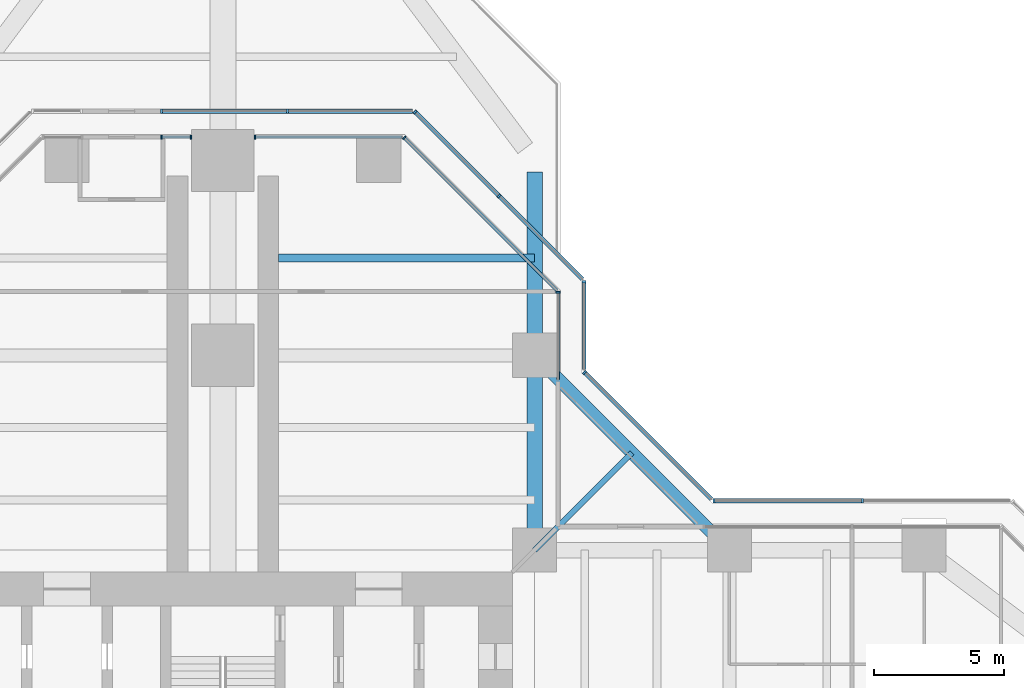
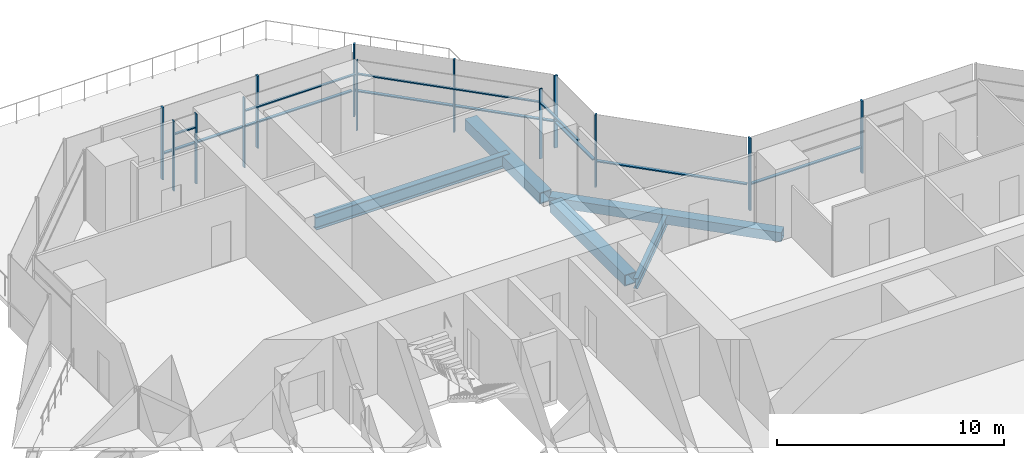
# One storey, part 11 of 21: 24 members, 5 beams, 9 elements without a shape of their own.
"""IFC4 building model written with IfcOpenShell, lengths in metres."""

from ifc_helpers import new_model, si_unit, direction, frame, origin, origin_2d, place, context, subcontext, project, spatial, rectangle, hollow_rectangle, i_section, extrude, material, material_profile, profile_set, type_object, element, aggregate, save


model = new_model("IFC4")

# Units and contexts
model_context = context("Model", 3, precision=1e-05, world=origin(), true_north=direction((0.0, 1.0)))
body_context = subcontext(model_context, "Body", "Model", "MODEL_VIEW")
ifc_project = project(units=[si_unit("LENGTHUNIT", "METRE"), si_unit("AREAUNIT", "SQUARE_METRE"), si_unit("VOLUMEUNIT", "CUBIC_METRE"), si_unit("PLANEANGLEUNIT", "RADIAN"), si_unit("MASSUNIT", "GRAM", prefix="KILO")], contexts=[model_context])

# Site, building, storey
site_placement = place(None, origin())
site = spatial("IfcSite", under=ifc_project, at=site_placement, CompositionType="ELEMENT")
building_placement = place(site_placement, origin())
building = spatial("IfcBuilding", under=site, at=building_placement, Name="Mizan Broadcast Tower", CompositionType="ELEMENT")
storey_placement = place(building_placement, frame((0.0, 0.0, 124.199951171875)))
storey = spatial("IfcBuildingStorey", under=building, at=storey_placement, Name="L27", CompositionType="ELEMENT", Elevation=124.199951171875)

# Beams
ifc_material_1 = material(Name="Steel S355", Category="steel")
ifc_material_profile_1 = material_profile(ifc_material_1, hollow_rectangle(XDim=0.5, YDim=0.5, WallThickness=0.030029296875, at=origin_2d()), Name="BOX 500x500x30")
ifc_profile_set_1 = profile_set([ifc_material_profile_1], Name="Steel S355")
beam_type_1 = type_object("IfcBeamType", Name="EDGE BEAM BOX 500x500x30", PredefinedType="SPANDREL", material=ifc_profile_set_1)
beam_1_placement = place(storey_placement, frame((19.5, 12.0, -0.3798828125), z_axis=(-0.707106781187, 0.707106781187, 0.0), x_axis=(-0.707106781187, -0.707106781187, 0.0)))
element("IfcBeam", 1, at=beam_1_placement, inside=storey, type_object=beam_type_1, Name="Winter garden edge beam L27 E", PredefinedType="SPANDREL", context=body_context, shape_type="SweptSolid", body=[
    extrude(hollow_rectangle(XDim=0.5, YDim=0.5, WallThickness=0.030029296875, at=origin_2d()), origin(), (0.0, 0.0, 1.0), 10.606689453125),
])
ifc_material_2 = material(Name="Steel S355", Category="steel")
ifc_material_profile_2 = material_profile(ifc_material_2, hollow_rectangle(XDim=0.60009765625, YDim=0.60009765625, WallThickness=0.0400390625, at=origin_2d()), Name="BOX 600x600x40")
ifc_profile_set_2 = profile_set([ifc_material_profile_2], Name="Steel S355")
beam_type_2 = type_object("IfcBeamType", Name="EDGE BEAM BOX 600x600x40", PredefinedType="SPANDREL", material=ifc_profile_set_2)
for number, where, z_axis, x_axis, name in (
    (2, (12.0, 12.449951171875, -0.429931640625), (0.0, 1.0, 0.0), (-1.0, 0.0, 0.0), "Edge beam BOX 600x600x40 L27 north arm"),
    (3, (12.0, 19.949951171875, -0.550048828125), (0.0, 1.0, 0.0), (-1.0, 0.0, 0.0), "Edge beam BOX 600x600x40 L27 north arm"),
):
    element("IfcBeam", number, at=place(storey_placement, frame(where, z_axis=z_axis, x_axis=x_axis)), inside=storey, type_object=beam_type_2, Name=name, PredefinedType="SPANDREL", context=body_context, shape_type="SweptSolid", body=[
        extrude(hollow_rectangle(XDim=0.60009765625, YDim=0.60009765625, WallThickness=0.0400390625, at=origin_2d()), origin(), (0.0, 0.0, 1.0), 6.60009765625),
    ])

# Curtain wall, member
ifc_material_3 = material(Name="Aluminium framed glazing", Category="aluminium")
curtain_wall_type_1 = type_object("IfcCurtainWallType", Name="INNER SKIN MID ZONE", PredefinedType="USERDEFINED", material=ifc_material_3)
curtain_wall_1_placement = place(storey_placement, origin())
curtain_wall_1 = element("IfcCurtainWall", 4, at=curtain_wall_1_placement, inside=storey, type_object=curtain_wall_type_1, Name="Inner skin mid zone L27 N side", ObjectType="INNER SKIN MID ZONE", PredefinedType="USERDEFINED")
ifc_material_4 = material(Name="Aluminium, pale anodised", Category="aluminium")
ifc_material_profile_3 = material_profile(ifc_material_4, rectangle(XDim=0.159912109375, YDim=0.06005859375, at=origin_2d()), Name="MULLION 160x60")
ifc_profile_set_3 = profile_set([ifc_material_profile_3], Name="Aluminium, pale anodised")
member_type_1 = type_object("IfcMemberType", Name="INNER SKIN MULLION 60x160", PredefinedType="MULLION", material=ifc_profile_set_3)
member_1_placement = place(storey_placement, frame((12.89990234375, 21.928466796875, 0.0), z_axis=(0.0, 0.0, 1.0), x_axis=(-1.0, 0.0, 0.0)))
member_1 = element("IfcMember", 5, at=member_1_placement, type_object=member_type_1, Name="Inner skin mid zone L27 N side mullion 2", PredefinedType="MULLION", context=body_context, shape_type="SweptSolid", body=[
    extrude(rectangle(XDim=0.159912109375, YDim=0.06005859375, at=origin_2d()), origin(), (0.0, 0.0, 1.0), 3.77001953125),
])

curtain_wall_2_placement = place(storey_placement, origin())
curtain_wall_2 = element("IfcCurtainWall", 6, at=curtain_wall_2_placement, inside=storey, type_object=curtain_wall_type_1, Name="Inner skin mid zone L27 N chamfer", ObjectType="INNER SKIN MID ZONE", PredefinedType="USERDEFINED")
member_2_placement = place(storey_placement, frame((6.979736328125, 27.87890625, 0.0), z_axis=(0.0, 0.0, 1.0), x_axis=(-0.707106781187, -0.707106781187, 0.0)))
member_2 = element("IfcMember", 7, at=member_2_placement, type_object=member_type_1, Name="Inner skin mid zone L27 N chamfer mullion 2", PredefinedType="MULLION", context=body_context, shape_type="SweptSolid", body=[
    extrude(rectangle(XDim=0.159912109375, YDim=0.06005859375, at=origin_2d()), origin(), (0.0, 0.0, 1.0), 3.77001953125),
])

curtain_wall_3_placement = place(storey_placement, origin())
curtain_wall_3 = element("IfcCurtainWall", 8, at=curtain_wall_3_placement, inside=storey, type_object=curtain_wall_type_1, Name="Inner skin mid zone L27 N end", ObjectType="INNER SKIN MID ZONE", PredefinedType="USERDEFINED")
member_3_placement = place(storey_placement, frame((1.22998046875, 27.89990234375, 0.0), z_axis=(0.0, 0.0, 1.0), x_axis=(0.0, -1.0, 0.0)))
member_3 = element("IfcMember", 9, at=member_3_placement, type_object=member_type_1, Name="Inner skin mid zone L27 N end mullion 2", PredefinedType="MULLION", context=body_context, shape_type="SweptSolid", body=[
    extrude(rectangle(XDim=0.159912109375, YDim=0.06005859375, at=origin_2d()), origin(), (0.0, 0.0, 1.0), 3.77001953125),
])

# Curtain wall, members
curtain_wall_4_placement = place(storey_placement, origin())
curtain_wall_4 = element("IfcCurtainWall", 10, at=curtain_wall_4_placement, inside=storey, type_object=curtain_wall_type_1, Name="Inner skin mid zone L27 N end", ObjectType="INNER SKIN MID ZONE", PredefinedType="USERDEFINED")
member_4_placement = place(storey_placement, frame((-1.22998046875, 27.89990234375, 0.0), z_axis=(0.0, 0.0, 1.0), x_axis=(0.0, -1.0, 0.0)))
member_4 = element("IfcMember", 11, at=member_4_placement, type_object=member_type_1, Name="Inner skin mid zone L27 N end mullion 1", PredefinedType="MULLION", context=body_context, shape_type="SweptSolid", body=[
    extrude(rectangle(XDim=0.159912109375, YDim=0.06005859375, at=origin_2d()), origin(), (0.0, 0.0, 1.0), 3.77001953125),
])
member_5_placement = place(storey_placement, frame((-2.3701171875, 27.89990234375, 0.0), z_axis=(0.0, 0.0, 1.0), x_axis=(0.0, -1.0, 0.0)))
member_5 = element("IfcMember", 12, at=member_5_placement, type_object=member_type_1, Name="Inner skin mid zone L27 N end mullion 2", PredefinedType="MULLION", context=body_context, shape_type="SweptSolid", body=[
    extrude(rectangle(XDim=0.159912109375, YDim=0.06005859375, at=origin_2d()), origin(), (0.0, 0.0, 1.0), 3.77001953125),
])

# Member
ifc_material_5 = material(Name="Aluminium, pale anodised", Category="aluminium")
ifc_material_profile_4 = material_profile(ifc_material_5, rectangle(XDim=0.1201171875, YDim=0.06005859375, at=origin_2d()), Name="TRANSOM 120x60")
ifc_profile_set_4 = profile_set([ifc_material_profile_4], Name="Aluminium, pale anodised")
member_type_2 = type_object("IfcMemberType", Name="INNER SKIN TRANSOM 60x120", PredefinedType="USERDEFINED", material=ifc_profile_set_4)
member_6_placement = place(storey_placement, frame((12.89990234375, 18.56005859375, 3.030029296875), z_axis=(0.0, 1.0, 0.0), x_axis=(-1.0, 0.0, 0.0)))
member_6 = element("IfcMember", 13, at=member_6_placement, type_object=member_type_2, Name="Inner skin mid zone L27 N side transom 1.1", ObjectType="TRANSOM", PredefinedType="USERDEFINED", context=body_context, shape_type="SweptSolid", body=[
    extrude(rectangle(XDim=0.1201171875, YDim=0.06005859375, at=origin_2d()), origin(), (0.0, 0.0, 1.0), 3.338623046875),
])

aggregate(curtain_wall_1, [member_1, member_6])

member_7_placement = place(storey_placement, frame((12.857666015625, 22.0009765625, 3.030029296875), z_axis=(-0.707106781187, 0.707106781187, 0.0), x_axis=(-0.707106781187, -0.707106781187, 0.0)))
member_7 = element("IfcMember", 14, at=member_7_placement, type_object=member_type_2, Name="Inner skin mid zone L27 N chamfer transom 1.1", ObjectType="TRANSOM", PredefinedType="USERDEFINED", context=body_context, shape_type="SweptSolid", body=[
    extrude(rectangle(XDim=0.1201171875, YDim=0.06005859375, at=origin_2d()), origin(), (0.0, 0.0, 1.0), 8.28271484375),
])

aggregate(curtain_wall_2, [member_2, member_7])

member_8_placement = place(storey_placement, frame((6.898681640625, 27.89990234375, 3.030029296875), z_axis=(-1.0, 0.0, 0.0), x_axis=(0.0, -1.0, 0.0)))
member_8 = element("IfcMember", 15, at=member_8_placement, type_object=member_type_2, Name="Inner skin mid zone L27 N end transom 1.1", ObjectType="TRANSOM", PredefinedType="USERDEFINED", context=body_context, shape_type="SweptSolid", body=[
    extrude(rectangle(XDim=0.1201171875, YDim=0.06005859375, at=origin_2d()), origin(), (0.0, 0.0, 1.0), 5.638671875),
])

aggregate(curtain_wall_3, [member_3, member_8])

member_9_placement = place(storey_placement, frame((-1.260009765625, 27.89990234375, 3.030029296875), z_axis=(-1.0, 0.0, 0.0), x_axis=(0.0, -1.0, 0.0)))
member_9 = element("IfcMember", 16, at=member_9_placement, type_object=member_type_2, Name="Inner skin mid zone L27 N end transom 1.1", ObjectType="TRANSOM", PredefinedType="USERDEFINED", context=body_context, shape_type="SweptSolid", body=[
    extrude(rectangle(XDim=0.1201171875, YDim=0.06005859375, at=origin_2d()), origin(), (0.0, 0.0, 1.0), 1.080078125),
])

aggregate(curtain_wall_4, [member_4, member_5, member_9])

# Curtain wall, members
ifc_material_6 = material(Name="Aluminium framed glazing", Category="aluminium")
curtain_wall_type_2 = type_object("IfcCurtainWallType", Name="OUTER SKIN", PredefinedType="USERDEFINED", material=ifc_material_6)
curtain_wall_5_placement = place(storey_placement, origin())
curtain_wall_5 = element("IfcCurtainWall", 17, at=curtain_wall_5_placement, inside=storey, type_object=curtain_wall_type_2, Name="Outer skin L27 E side", ObjectType="OUTER SKIN", PredefinedType="USERDEFINED")
ifc_material_7 = material(Name="Aluminium, pale anodised", Category="aluminium")
ifc_material_profile_5 = material_profile(ifc_material_7, rectangle(XDim=0.159912109375, YDim=0.080078125, at=origin_2d()), Name="MULLION 160x80")
ifc_profile_set_5 = profile_set([ifc_material_profile_5], Name="Aluminium, pale anodised")
member_type_3 = type_object("IfcMemberType", Name="OUTER SKIN MULLION 80x160", PredefinedType="MULLION", material=ifc_profile_set_5)
member_10_placement = place(storey_placement, frame((24.622802734375, 13.89990234375, 0.0), z_axis=(0.0, 0.0, 1.0), x_axis=(0.0, -1.0, 0.0)))
member_10 = element("IfcMember", 18, at=member_10_placement, type_object=member_type_3, Name="Outer skin L27 E side mullion 2", PredefinedType="MULLION", context=body_context, shape_type="SweptSolid", body=[
    extrude(rectangle(XDim=0.159912109375, YDim=0.080078125, at=origin_2d()), origin(), (0.0, 0.0, 1.0), 3.900146484375),
])
member_11_placement = place(storey_placement, frame((18.912841796875, 13.89990234375, 0.0), z_axis=(0.0, 0.0, 1.0), x_axis=(0.0, -1.0, 0.0)))
member_11 = element("IfcMember", 19, at=member_11_placement, type_object=member_type_3, Name="Outer skin L27 E side mullion 3", PredefinedType="MULLION", context=body_context, shape_type="SweptSolid", body=[
    extrude(rectangle(XDim=0.159912109375, YDim=0.080078125, at=origin_2d()), origin(), (0.0, 0.0, 1.0), 3.900146484375),
])

# Curtain wall, member
curtain_wall_6_placement = place(storey_placement, origin())
curtain_wall_6 = element("IfcCurtainWall", 20, at=curtain_wall_6_placement, inside=storey, type_object=curtain_wall_type_2, Name="Outer skin L27 E chamfer", ObjectType="OUTER SKIN", PredefinedType="USERDEFINED")
member_12_placement = place(storey_placement, frame((13.92822265625, 18.844482421875, 0.0), z_axis=(0.0, 0.0, 1.0), x_axis=(-0.707106781187, -0.707106781187, 0.0)))
member_12 = element("IfcMember", 21, at=member_12_placement, type_object=member_type_3, Name="Outer skin L27 E chamfer mullion 2", PredefinedType="MULLION", context=body_context, shape_type="SweptSolid", body=[
    extrude(rectangle(XDim=0.159912109375, YDim=0.080078125, at=origin_2d()), origin(), (0.0, 0.0, 1.0), 3.900146484375),
])

curtain_wall_7_placement = place(storey_placement, origin())
curtain_wall_7 = element("IfcCurtainWall", 22, at=curtain_wall_7_placement, inside=storey, type_object=curtain_wall_type_2, Name="Outer skin L27 N side", ObjectType="OUTER SKIN", PredefinedType="USERDEFINED")
member_13_placement = place(storey_placement, frame((13.89990234375, 22.332763671875, 0.0), z_axis=(0.0, 0.0, 1.0), x_axis=(-1.0, 0.0, 0.0)))
member_13 = element("IfcMember", 23, at=member_13_placement, type_object=member_type_3, Name="Outer skin L27 N side mullion 2", PredefinedType="MULLION", context=body_context, shape_type="SweptSolid", body=[
    extrude(rectangle(XDim=0.159912109375, YDim=0.080078125, at=origin_2d()), origin(), (0.0, 0.0, 1.0), 3.900146484375),
])

# Curtain wall, members
curtain_wall_8_placement = place(storey_placement, origin())
curtain_wall_8 = element("IfcCurtainWall", 24, at=curtain_wall_8_placement, inside=storey, type_object=curtain_wall_type_2, Name="Outer skin L27 N chamfer", ObjectType="OUTER SKIN", PredefinedType="USERDEFINED")
member_14_placement = place(storey_placement, frame((10.636474609375, 25.636474609375, 0.0), z_axis=(0.0, 0.0, 1.0), x_axis=(-0.707106781187, -0.707106781187, 0.0)))
member_14 = element("IfcMember", 25, at=member_14_placement, type_object=member_type_3, Name="Outer skin L27 N chamfer mullion 2", PredefinedType="MULLION", context=body_context, shape_type="SweptSolid", body=[
    extrude(rectangle(XDim=0.159912109375, YDim=0.080078125, at=origin_2d()), origin(), (0.0, 0.0, 1.0), 3.900146484375),
])
member_15_placement = place(storey_placement, frame((7.401123046875, 28.871826171875, 0.0), z_axis=(0.0, 0.0, 1.0), x_axis=(-0.707106781187, -0.707106781187, 0.0)))
member_15 = element("IfcMember", 26, at=member_15_placement, type_object=member_type_3, Name="Outer skin L27 N chamfer mullion 3", PredefinedType="MULLION", context=body_context, shape_type="SweptSolid", body=[
    extrude(rectangle(XDim=0.159912109375, YDim=0.080078125, at=origin_2d()), origin(), (0.0, 0.0, 1.0), 3.900146484375),
])

curtain_wall_9_placement = place(storey_placement, origin())
curtain_wall_9 = element("IfcCurtainWall", 27, at=curtain_wall_9_placement, inside=storey, type_object=curtain_wall_type_2, Name="Outer skin L27 N end", ObjectType="OUTER SKIN", PredefinedType="USERDEFINED")
member_16_placement = place(storey_placement, frame((2.486328125, 28.89990234375, 0.0), z_axis=(0.0, 0.0, 1.0), x_axis=(0.0, -1.0, 0.0)))
member_16 = element("IfcMember", 28, at=member_16_placement, type_object=member_type_3, Name="Outer skin L27 N end mullion 2", PredefinedType="MULLION", context=body_context, shape_type="SweptSolid", body=[
    extrude(rectangle(XDim=0.159912109375, YDim=0.080078125, at=origin_2d()), origin(), (0.0, 0.0, 1.0), 3.900146484375),
])
member_17_placement = place(storey_placement, frame((-2.360107421875, 28.89990234375, 0.0), z_axis=(0.0, 0.0, 1.0), x_axis=(0.0, -1.0, 0.0)))
member_17 = element("IfcMember", 29, at=member_17_placement, type_object=member_type_3, Name="Outer skin L27 N end mullion 3", PredefinedType="MULLION", context=body_context, shape_type="SweptSolid", body=[
    extrude(rectangle(XDim=0.159912109375, YDim=0.080078125, at=origin_2d()), origin(), (0.0, 0.0, 1.0), 3.900146484375),
])

# Member
ifc_material_8 = material(Name="Aluminium, pale anodised", Category="aluminium")
ifc_material_profile_6 = material_profile(ifc_material_8, rectangle(XDim=0.159912109375, YDim=0.06005859375, at=origin_2d()), Name="TRANSOM 160x60")
ifc_profile_set_6 = profile_set([ifc_material_profile_6], Name="Aluminium, pale anodised")
member_type_4 = type_object("IfcMemberType", Name="OUTER SKIN TRANSOM 60x160", PredefinedType="USERDEFINED", material=ifc_profile_set_6)
member_18_placement = place(storey_placement, frame((24.582763671875, 13.89990234375, 1.400146484375), z_axis=(-1.0, 0.0, 0.0), x_axis=(0.0, -1.0, 0.0)))
member_18 = element("IfcMember", 30, at=member_18_placement, type_object=member_type_4, Name="Outer skin L27 E side transom 2.1", ObjectType="TRANSOM", PredefinedType="USERDEFINED", context=body_context, shape_type="SweptSolid", body=[
    extrude(rectangle(XDim=0.159912109375, YDim=0.06005859375, at=origin_2d()), origin(), (0.0, 0.0, 1.0), 5.6298828125),
])

aggregate(curtain_wall_5, [member_10, member_11, member_18])

member_19_placement = place(storey_placement, frame((18.816162109375, 13.95654296875, 1.400146484375), z_axis=(-0.707106781187, 0.707106781187, 0.0), x_axis=(-0.707106781187, -0.707106781187, 0.0)))
member_19 = element("IfcMember", 31, at=member_19_placement, type_object=member_type_4, Name="Outer skin L27 E chamfer transom 1.1", ObjectType="TRANSOM", PredefinedType="USERDEFINED", context=body_context, shape_type="SweptSolid", body=[
    extrude(rectangle(XDim=0.159912109375, YDim=0.06005859375, at=origin_2d()), origin(), (0.0, 0.0, 1.0), 6.87255859375),
])

aggregate(curtain_wall_6, [member_12, member_19])

member_20_placement = place(storey_placement, frame((13.89990234375, 18.952880859375, 1.400146484375), z_axis=(0.0, 1.0, 0.0), x_axis=(-1.0, 0.0, 0.0)))
member_20 = element("IfcMember", 32, at=member_20_placement, type_object=member_type_4, Name="Outer skin L27 N side transom 1.1", ObjectType="TRANSOM", PredefinedType="USERDEFINED", context=body_context, shape_type="SweptSolid", body=[
    extrude(rectangle(XDim=0.159912109375, YDim=0.06005859375, at=origin_2d()), origin(), (0.0, 0.0, 1.0), 3.33984375),
])

aggregate(curtain_wall_7, [member_13, member_20])

member_21_placement = place(storey_placement, frame((13.843505859375, 22.429443359375, 1.400146484375), z_axis=(-0.707106781187, 0.707106781187, 0.0), x_axis=(-0.707106781187, -0.707106781187, 0.0)))
member_21 = element("IfcMember", 33, at=member_21_placement, type_object=member_type_4, Name="Outer skin L27 N chamfer transom 1.1", ObjectType="TRANSOM", PredefinedType="USERDEFINED", context=body_context, shape_type="SweptSolid", body=[
    extrude(rectangle(XDim=0.159912109375, YDim=0.06005859375, at=origin_2d()), origin(), (0.0, 0.0, 1.0), 4.495361328125),
])

member_22_placement = place(storey_placement, frame((10.608154296875, 25.664794921875, 1.400146484375), z_axis=(-0.707106781187, 0.707106781187, 0.0), x_axis=(-0.707106781187, -0.707106781187, 0.0)))
member_22 = element("IfcMember", 34, at=member_22_placement, type_object=member_type_4, Name="Outer skin L27 N chamfer transom 2.1", ObjectType="TRANSOM", PredefinedType="USERDEFINED", context=body_context, shape_type="SweptSolid", body=[
    extrude(rectangle(XDim=0.159912109375, YDim=0.06005859375, at=origin_2d()), origin(), (0.0, 0.0, 1.0), 4.495361328125),
])

aggregate(curtain_wall_8, [member_14, member_15, member_21, member_22])

member_23_placement = place(storey_placement, frame((7.292724609375, 28.89990234375, 1.400146484375), z_axis=(-1.0, 0.0, 0.0), x_axis=(0.0, -1.0, 0.0)))
member_23 = element("IfcMember", 35, at=member_23_placement, type_object=member_type_4, Name="Outer skin L27 N end transom 1.1", ObjectType="TRANSOM", PredefinedType="USERDEFINED", context=body_context, shape_type="SweptSolid", body=[
    extrude(rectangle(XDim=0.159912109375, YDim=0.06005859375, at=origin_2d()), origin(), (0.0, 0.0, 1.0), 4.766357421875),
])

member_24_placement = place(storey_placement, frame((2.4462890625, 28.89990234375, 1.400146484375), z_axis=(-1.0, 0.0, 0.0), x_axis=(0.0, -1.0, 0.0)))
member_24 = element("IfcMember", 36, at=member_24_placement, type_object=member_type_4, Name="Outer skin L27 N end transom 2.1", ObjectType="TRANSOM", PredefinedType="USERDEFINED", context=body_context, shape_type="SweptSolid", body=[
    extrude(rectangle(XDim=0.159912109375, YDim=0.06005859375, at=origin_2d()), origin(), (0.0, 0.0, 1.0), 4.766357421875),
])

aggregate(curtain_wall_9, [member_16, member_17, member_23, member_24])

# Beams
ifc_material_9 = material(Name="Steel S355", Category="steel")
ifc_material_profile_7 = material_profile(ifc_material_9, i_section(OverallWidth=0.300048828125, OverallDepth=0.68994140625, WebThickness=0.014404296875, FlangeThickness=0.027099609375, FilletRadius=0.027099609375, at=origin_2d()), Name="HEA 700")
ifc_profile_set_7 = profile_set([ifc_material_profile_7], Name="Steel S355")
beam_type_3 = type_object("IfcBeamType", Name="SECONDARY BEAM HEA 700", PredefinedType="JOIST", material=ifc_profile_set_7)
beam_2_placement = place(storey_placement, frame((12.0, 23.25, -0.474853515625), z_axis=(-1.0, 0.0, 0.0), x_axis=(0.0, -1.0, 0.0)))
element("IfcBeam", 37, at=beam_2_placement, inside=storey, type_object=beam_type_3, Name="Secondary beam HEA 700 L27 north arm", PredefinedType="JOIST", context=body_context, shape_type="SweptSolid", body=[
    extrude(i_section(OverallWidth=0.300048828125, OverallDepth=0.68994140625, WebThickness=0.014404296875, FlangeThickness=0.027099609375, FilletRadius=0.027099609375, at=origin_2d()), origin(), (0.0, 0.0, 1.0), 9.85009765625),
])
ifc_material_10 = material(Name="Steel S355", Category="steel")
ifc_material_profile_8 = material_profile(ifc_material_10, i_section(OverallWidth=0.2099609375, OverallDepth=0.550048828125, WebThickness=0.010986328125, FlangeThickness=0.01708984375, FilletRadius=0.02392578125, at=origin_2d()), Name="IPE 550")
ifc_profile_set_8 = profile_set([ifc_material_profile_8], Name="Steel S355")
beam_type_4 = type_object("IfcBeamType", Name="SECONDARY BEAM IPE 550", PredefinedType="JOIST", material=ifc_profile_set_8)
beam_3_placement = place(storey_placement, frame((12.0, 12.0, -0.405029296875), z_axis=(0.707106781187, 0.707106781187, 0.0), x_axis=(-0.707106781187, 0.707106781187, 0.0)))
element("IfcBeam", 38, at=beam_3_placement, inside=storey, type_object=beam_type_4, Name="Winter garden beam L27 E", PredefinedType="JOIST", context=body_context, shape_type="SweptSolid", body=[
    extrude(i_section(OverallWidth=0.2099609375, OverallDepth=0.550048828125, WebThickness=0.010986328125, FlangeThickness=0.01708984375, FilletRadius=0.02392578125, at=origin_2d()), origin(), (0.0, 0.0, 1.0), 5.30322265625),
])

save(model, "model.ifc")
